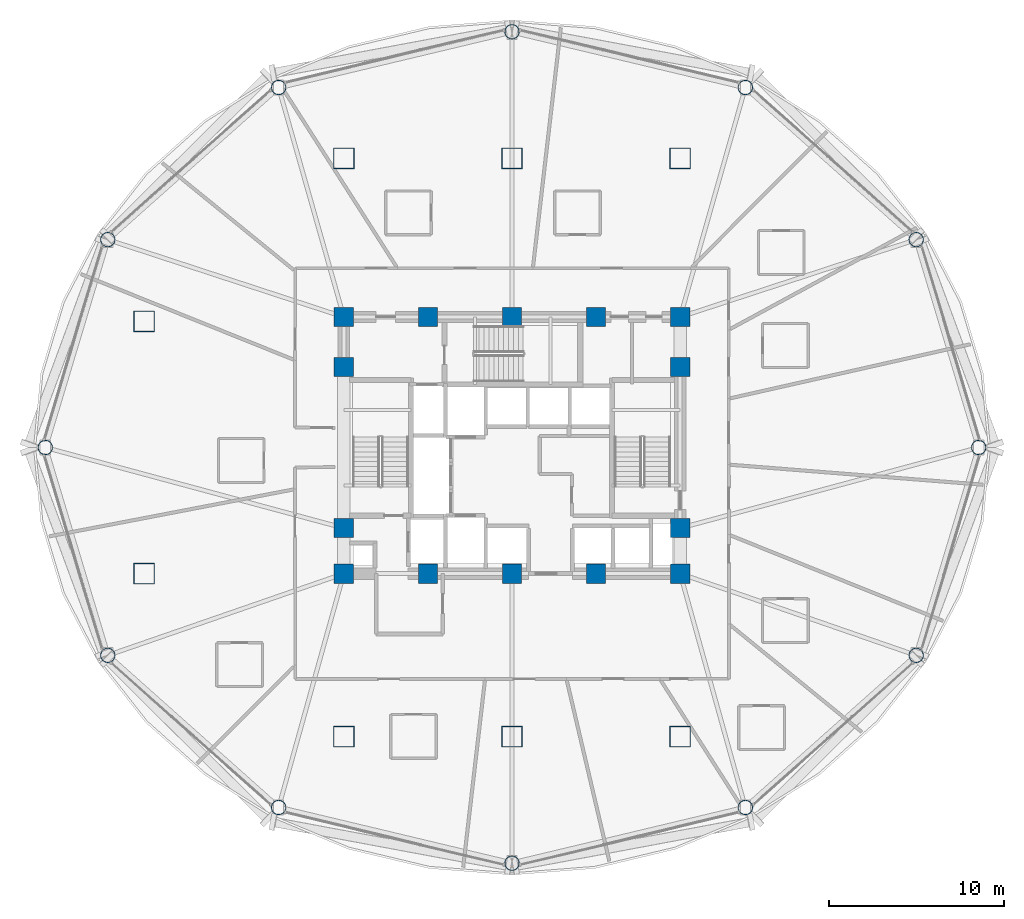
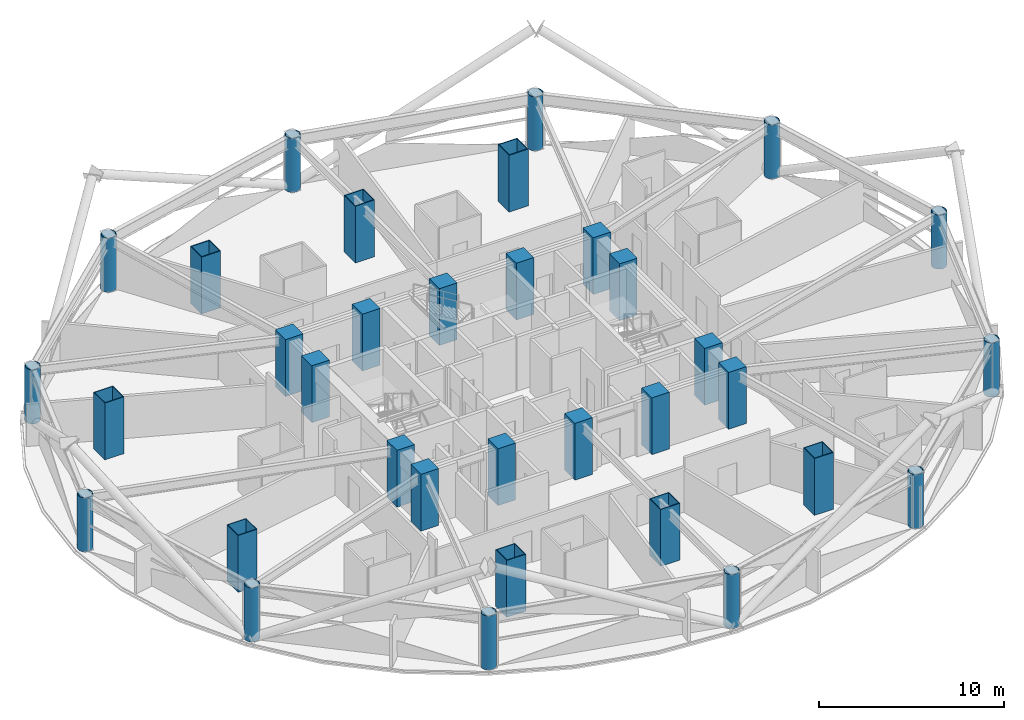
# One storey, part 1 of 30: 34 columns.
"""IFC4 building model written with IfcOpenShell, lengths in metres."""

from ifc_helpers import new_model, si_unit, direction, frame, origin, origin_2d, place, context, subcontext, project, spatial, rectangle, hollow_rectangle, hollow_circle, extrude, material, material_profile, profile_set, type_object, element, save


model = new_model("IFC4")

# Units and contexts
model_context = context("Model", 3, precision=1e-05, world=origin(), true_north=direction((0.0, 1.0)))
body_context = subcontext(model_context, "Body", "Model", "MODEL_VIEW")
ifc_project = project(units=[si_unit("LENGTHUNIT", "METRE"), si_unit("AREAUNIT", "SQUARE_METRE"), si_unit("VOLUMEUNIT", "CUBIC_METRE"), si_unit("PLANEANGLEUNIT", "RADIAN"), si_unit("MASSUNIT", "GRAM", prefix="KILO")], contexts=[model_context])

# Site, building, storey
site_placement = place(None, origin())
site = spatial("IfcSite", under=ifc_project, at=site_placement, CompositionType="ELEMENT")
building_placement = place(site_placement, origin())
building = spatial("IfcBuilding", under=site, at=building_placement, Name="Vantalir Tower", CompositionType="ELEMENT")
storey_placement = place(building_placement, frame((0.0, 0.0, 49.5)))
storey = spatial("IfcBuildingStorey", under=building, at=storey_placement, Name="L11", CompositionType="ELEMENT", Elevation=49.5)

# Columns
ifc_material_1 = material(Name="Concrete C60/75", Category="concrete")
ifc_material_profile_1 = material_profile(ifc_material_1, rectangle(XDim=1.10009765625, YDim=1.10009765625, at=origin_2d()), Name="Concrete C60/75")
ifc_profile_set_1 = profile_set([ifc_material_profile_1], Name="Concrete C60/75")
column_type_1 = type_object("IfcColumnType", Name="COL-CC-1100", PredefinedType="COLUMN", material=ifc_profile_set_1)
for number, where, z_axis, x_axis, name in (
    (1, (21.89990234375, 17.800048828125, 0.0), (0.0, 0.0, 1.0), (1.0, 0.0, 0.0), "L11 Core Column CC01"),
    (2, (26.699951171875, 17.800048828125, 0.0), (0.0, 0.0, 1.0), (1.0, 0.0, 0.0), "L11 Core Column CC02"),
    (3, (31.5, 17.800048828125, 0.0), (0.0, 0.0, 1.0), (1.0, 0.0, 0.0), "L11 Core Column CC03"),
    (4, (36.300048828125, 17.800048828125, 0.0), (0.0, 0.0, 1.0), (1.0, 0.0, 0.0), "L11 Core Column CC04"),
    (5, (41.10009765625, 17.800048828125, 0.0), (0.0, 0.0, 1.0), (1.0, 0.0, 0.0), "L11 Core Column CC05"),
    (6, (21.89990234375, 20.39990234375, 0.0), (0.0, 0.0, 1.0), (1.0, 0.0, 0.0), "L11 Core Column CC06"),
    (7, (21.89990234375, 29.60009765625, 0.0), (0.0, 0.0, 1.0), (1.0, 0.0, 0.0), "L11 Core Column CC07"),
    (8, (41.10009765625, 20.39990234375, 0.0), (0.0, 0.0, 1.0), (1.0, 0.0, 0.0), "L11 Core Column CC08"),
    (9, (41.10009765625, 29.60009765625, 0.0), (0.0, 0.0, 1.0), (1.0, 0.0, 0.0), "L11 Core Column CC09"),
    (10, (21.89990234375, 32.449951171875, 0.0), (0.0, 0.0, 1.0), (1.0, 0.0, 0.0), "L11 Core Column CC10"),
    (11, (26.699951171875, 32.449951171875, 0.0), (0.0, 0.0, 1.0), (1.0, 0.0, 0.0), "L11 Core Column CC11"),
    (12, (31.5, 32.449951171875, 0.0), (0.0, 0.0, 1.0), (1.0, 0.0, 0.0), "L11 Core Column CC12"),
    (13, (36.300048828125, 32.449951171875, 0.0), (0.0, 0.0, 1.0), (1.0, 0.0, 0.0), "L11 Core Column CC13"),
    (14, (41.10009765625, 32.449951171875, 0.0), (0.0, 0.0, 1.0), (1.0, 0.0, 0.0), "L11 Core Column CC14"),
):
    element("IfcColumn", number, at=place(storey_placement, frame(where, z_axis=z_axis, x_axis=x_axis)), inside=storey, type_object=column_type_1, Name=name, PredefinedType="COLUMN", context=body_context, shape_type="SweptSolid", body=[
        extrude(rectangle(XDim=1.10009765625, YDim=1.10009765625, at=origin_2d()), origin(), (0.0, 0.0, 1.0), 3.75),
    ])
ifc_material_2 = material(Name="Steel S460", Category="steel")
ifc_material_profile_2 = material_profile(ifc_material_2, hollow_rectangle(XDim=1.199951171875, YDim=1.199951171875, WallThickness=0.044921875, at=origin_2d()), Name="Steel S460")
ifc_profile_set_2 = profile_set([ifc_material_profile_2], Name="Steel S460")
column_type_2 = type_object("IfcColumnType", Name="COL-MC-1200", PredefinedType="COLUMN", material=ifc_profile_set_2)
for number, where, z_axis, x_axis, name in (
    (15, (21.89990234375, 8.5, 0.0), (0.0, 0.0, 1.0), (1.0, 0.0, 0.0), "L11 S460 Mega-Column MC01"),
    (16, (31.5, 8.5, 0.0), (0.0, 0.0, 1.0), (1.0, 0.0, 0.0), "L11 S460 Mega-Column MC02"),
    (17, (41.10009765625, 8.5, 0.0), (0.0, 0.0, 1.0), (1.0, 0.0, 0.0), "L11 S460 Mega-Column MC03"),
    (18, (10.5, 17.800048828125, 0.0), (0.0, 0.0, 1.0), (1.0, 0.0, 0.0), "L11 S460 Mega-Column MC04"),
    (19, (10.5, 32.199951171875, 0.0), (0.0, 0.0, 1.0), (1.0, 0.0, 0.0), "L11 S460 Mega-Column MC05"),
    (20, (21.89990234375, 41.5, 0.0), (0.0, 0.0, 1.0), (1.0, 0.0, 0.0), "L11 S460 Mega-Column MC06"),
    (21, (31.5, 41.5, 0.0), (0.0, 0.0, 1.0), (1.0, 0.0, 0.0), "L11 S460 Mega-Column MC07"),
    (22, (41.10009765625, 41.5, 0.0), (0.0, 0.0, 1.0), (1.0, 0.0, 0.0), "L11 S460 Mega-Column MC08"),
):
    element("IfcColumn", number, at=place(storey_placement, frame(where, z_axis=z_axis, x_axis=x_axis)), inside=storey, type_object=column_type_2, Name=name, PredefinedType="COLUMN", context=body_context, shape_type="SweptSolid", body=[
        extrude(hollow_rectangle(XDim=1.199951171875, YDim=1.199951171875, WallThickness=0.044921875, at=origin_2d()), origin(), (0.0, 0.0, 1.0), 3.75),
    ])
ifc_material_profile_3 = material_profile(ifc_material_2, hollow_circle(Radius=0.425048828125, WallThickness=0.0400390625, at=origin_2d()), Name="Steel S460")
ifc_profile_set_3 = profile_set([ifc_material_profile_3], Name="Steel S460")
column_type_3 = type_object("IfcColumnType", Name="COL-RC-850", PredefinedType="COLUMN", material=ifc_profile_set_3)
for number, where, z_axis, x_axis, name in (
    (23, (58.138916015625, 25.0, 0.0), (0.0, 0.0, 1.0), (1.0, 0.0, 0.0), "L11 Perimeter Ring Column RC01"),
    (24, (54.570068359375, 36.863037109375, 0.0), (0.0, 0.0, 1.0), (1.0, 0.0, 0.0), "L11 Perimeter Ring Column RC02"),
    (25, (44.820068359375, 45.547119140625, 0.0), (0.0, 0.0, 1.0), (1.0, 0.0, 0.0), "L11 Perimeter Ring Column RC03"),
    (26, (31.5, 48.72607421875, 0.0), (0.0, 0.0, 1.0), (1.0, 0.0, 0.0), "L11 Perimeter Ring Column RC04"),
    (27, (18.180908203125, 45.547119140625, 0.0), (0.0, 0.0, 1.0), (1.0, 0.0, 0.0), "L11 Perimeter Ring Column RC05"),
    (28, (8.429931640625, 36.863037109375, 0.0), (0.0, 0.0, 1.0), (1.0, 0.0, 0.0), "L11 Perimeter Ring Column RC06"),
    (29, (4.861083984375, 25.0, 0.0), (0.0, 0.0, 1.0), (1.0, 0.0, 0.0), "L11 Perimeter Ring Column RC07"),
    (30, (8.429931640625, 13.136962890625, 0.0), (0.0, 0.0, 1.0), (1.0, 0.0, 0.0), "L11 Perimeter Ring Column RC08"),
    (31, (18.179931640625, 4.452880859375, 0.0), (0.0, 0.0, 1.0), (1.0, 0.0, 0.0), "L11 Perimeter Ring Column RC09"),
    (32, (31.5, 1.27392578125, 0.0), (0.0, 0.0, 1.0), (1.0, 0.0, 0.0), "L11 Perimeter Ring Column RC10"),
    (33, (44.820068359375, 4.452880859375, 0.0), (0.0, 0.0, 1.0), (1.0, 0.0, 0.0), "L11 Perimeter Ring Column RC11"),
    (34, (54.570068359375, 13.136962890625, 0.0), (0.0, 0.0, 1.0), (1.0, 0.0, 0.0), "L11 Perimeter Ring Column RC12"),
):
    element("IfcColumn", number, at=place(storey_placement, frame(where, z_axis=z_axis, x_axis=x_axis)), inside=storey, type_object=column_type_3, Name=name, PredefinedType="COLUMN", context=body_context, shape_type="SweptSolid", body=[
        extrude(hollow_circle(Radius=0.425048828125, WallThickness=0.0400390625, at=origin_2d()), origin(), (0.0, 0.0, 1.0), 3.570068359375),
    ])

save(model, "model.ifc")
